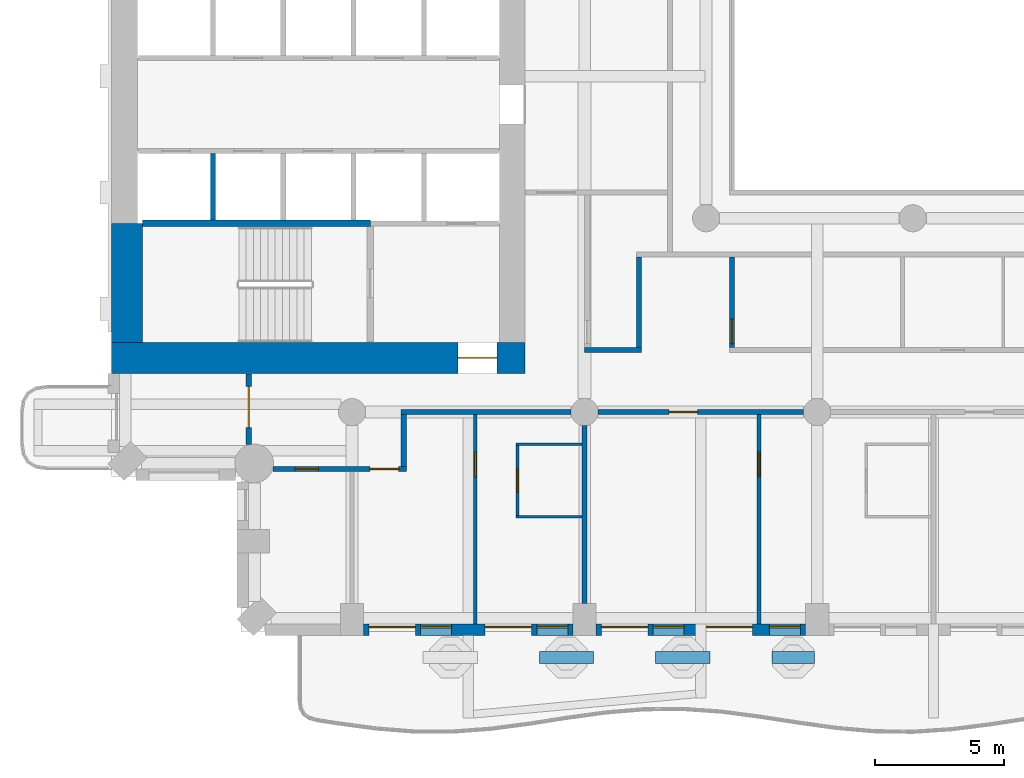
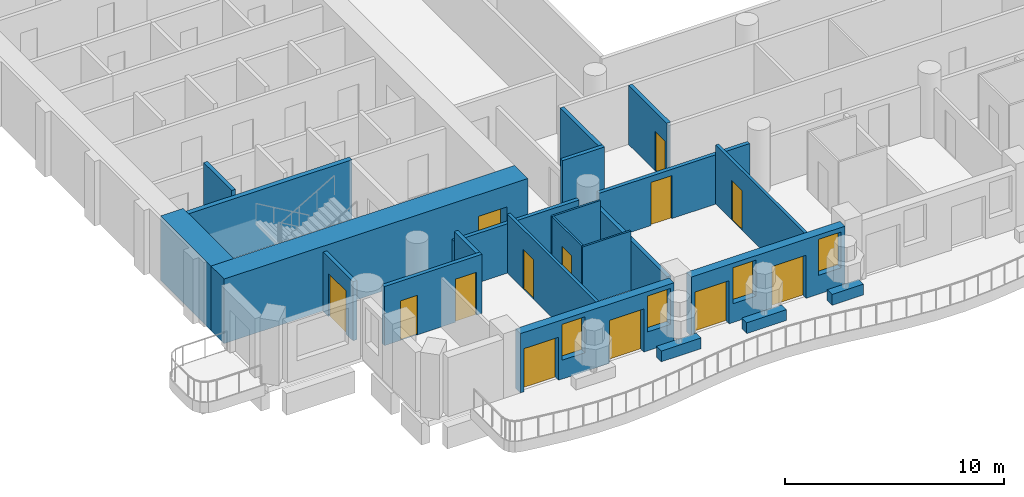
# One storey, part 3 of 20: 23 walls, 13 doors, 4 windows, 17 openings.
"""IFC4 building model written with IfcOpenShell, lengths in metres."""

from ifc_helpers import new_model, si_unit, direction, frame, frame_2d, origin, place, context, subcontext, project, spatial, rectangle, extrude, material, layer, layer_set, type_object, element, fill, save


model = new_model("IFC4")

# Units and contexts
model_context = context("Model", 3, precision=1e-05, world=origin(), true_north=direction((0.0, 1.0)))
body_context = subcontext(model_context, "Body", "Model", "MODEL_VIEW")
ifc_project = project(units=[si_unit("LENGTHUNIT", "METRE"), si_unit("AREAUNIT", "SQUARE_METRE"), si_unit("VOLUMEUNIT", "CUBIC_METRE"), si_unit("PLANEANGLEUNIT", "RADIAN"), si_unit("MASSUNIT", "GRAM", prefix="KILO")], contexts=[model_context])

# Site, building, storey
site_placement = place(None, origin())
site = spatial("IfcSite", under=ifc_project, at=site_placement, CompositionType="ELEMENT")
building_placement = place(site_placement, origin())
building = spatial("IfcBuilding", under=site, at=building_placement, Name="Cypress Arch Tower", CompositionType="ELEMENT")
storey_placement = place(building_placement, frame((0.0, 0.0, 134.699951171875)))
storey = spatial("IfcBuildingStorey", under=building, at=storey_placement, Name="L29", CompositionType="ELEMENT", Elevation=134.699951171875)

# Walls
ifc_material_1 = material(Name="Concrete C40/50, waterproofed", Category="concrete")
ifc_layer_1 = layer(ifc_material_1, 0.449951171875)
ifc_layer_set_1 = layer_set([ifc_layer_1], Name="Balcony planter wall PW450")
wall_type_1 = type_object("IfcWallType", Name="Balcony planter wall PW450", PredefinedType="SOLIDWALL", material=ifc_layer_set_1)
for number, where, z_axis, x_axis, name in (
    (1, (-13.449951171875, -27.0, 0.0), (0.0, 0.0, 1.0), (1.0, 0.0, 0.0), "Balcony planter wall L29-A03.2"),
    (2, (-8.949951171875, -27.0, 0.0), (0.0, 0.0, 1.0), (1.0, 0.0, 0.0), "Balcony planter wall L29-A03.3"),
):
    element("IfcWall", number, at=place(storey_placement, frame(where, z_axis=z_axis, x_axis=x_axis)), inside=storey, type_object=wall_type_1, Name=name, PredefinedType="SOLIDWALL", context=body_context, shape_type="SweptSolid", body=[
        extrude(rectangle(XDim=2.099853515625, YDim=0.449951171875, at=frame_2d((1.0498046875, 0.0))), origin(), (0.0, 0.0, 1.0), 0.60009765625),
    ])
wall_1_placement = place(storey_placement, frame((-4.449951171875, -27.0, 0.0), z_axis=(0.0, 0.0, 1.0), x_axis=(1.0, 0.0, 0.0)))
element("IfcWall", 3, at=wall_1_placement, inside=storey, type_object=wall_type_1, Name="Balcony planter wall L29-A03.4", PredefinedType="SOLIDWALL", context=body_context, shape_type="SweptSolid", body=[
    extrude(rectangle(XDim=1.64990234375, YDim=0.449951171875, at=frame_2d((0.824951171875, 0.0))), origin(), (0.0, 0.0, 1.0), 0.60009765625),
])

# Wall, openings, doors, windows
ifc_material_2 = material(Name="Brick (red buff blend)", Category="masonry")
ifc_layer_2 = layer(ifc_material_2, 0.449951171875)
ifc_layer_set_2 = layer_set([ifc_layer_2], Name="Brick pier and spandrel wall BW450")
wall_type_2 = type_object("IfcWallType", Name="Brick pier and spandrel wall BW450", PredefinedType="SOLIDWALL", material=ifc_layer_set_2)
wall_2_placement = place(storey_placement, frame((-20.25, -25.925048828125, 0.0), z_axis=(0.0, 0.0, 1.0), x_axis=(1.0, 0.0, 0.0)))
wall_2 = element("IfcWall", 4, at=wall_2_placement, inside=storey, type_object=wall_type_2, Name="Brick wall L29 A03.1", PredefinedType="SOLIDWALL", context=body_context, shape_type="SweptSolid", body=[
    extrude(rectangle(XDim=8.10009765625, YDim=0.449951171875, at=frame_2d((4.050048828125, 0.0))), origin(), (0.0, 0.0, 1.0), 3.300048828125),
])
opening_1_placement = place(wall_2_placement, frame((0.199951171875, 0.0, 0.0)))
opening_1 = element("IfcOpeningElement", 5, at=opening_1_placement, cuts=wall_2, Name="Opening D-L29-A03.1.1", PredefinedType="OPENING", context=body_context, shape_type="SweptSolid", body=[
    extrude(rectangle(XDim=1.800048828125, YDim=2.39990234375, at=frame_2d((0.89990234375, 1.199951171875))), frame((0.0, 0.23486328125, 0.0), z_axis=(0.0, -1.0, 0.0), x_axis=(1.0, 0.0, 0.0)), (0.0, 0.0, 1.0), 0.469970703125),
])
opening_2_placement = place(wall_2_placement, frame((2.199951171875, 0.0, 1.050048828125)))
opening_2 = element("IfcOpeningElement", 6, at=opening_2_placement, cuts=wall_2, Name="Opening W120HD", PredefinedType="OPENING", context=body_context, shape_type="SweptSolid", body=[
    extrude(rectangle(XDim=1.199951171875, YDim=2.0, at=frame_2d((0.60009765625, 1.0))), frame((0.0, 0.23486328125, 0.0), z_axis=(0.0, -1.0, 0.0), x_axis=(1.0, 0.0, 0.0)), (0.0, 0.0, 1.0), 0.469970703125),
])
opening_3_placement = place(wall_2_placement, frame((4.699951171875, 0.0, 0.0)))
opening_3 = element("IfcOpeningElement", 7, at=opening_3_placement, cuts=wall_2, Name="Opening D-L29-A03.1.2", PredefinedType="OPENING", context=body_context, shape_type="SweptSolid", body=[
    extrude(rectangle(XDim=1.800048828125, YDim=2.39990234375, at=frame_2d((0.89990234375, 1.199951171875))), frame((0.0, 0.23486328125, 0.0), z_axis=(0.0, -1.0, 0.0), x_axis=(1.0, 0.0, 0.0)), (0.0, 0.0, 1.0), 0.469970703125),
])
opening_4_placement = place(wall_2_placement, frame((6.699951171875, 0.0, 1.050048828125)))
opening_4 = element("IfcOpeningElement", 8, at=opening_4_placement, cuts=wall_2, Name="Opening W120HD", PredefinedType="OPENING", context=body_context, shape_type="SweptSolid", body=[
    extrude(rectangle(XDim=1.199951171875, YDim=2.0, at=frame_2d((0.60009765625, 1.0))), frame((0.0, 0.23486328125, 0.0), z_axis=(0.0, -1.0, 0.0), x_axis=(1.0, 0.0, 0.0)), (0.0, 0.0, 1.0), 0.469970703125),
])
ifc_material_3 = material(Name="Anodised aluminium, bronze finish, laminated low-emissivity double glazing, large-missile impact rated", Category="aluminium")
door_type_1 = type_object("IfcDoorType", Name="Balcony sliding door 1800x2400", OperationType="SLIDING_TO_LEFT", PredefinedType="DOOR", material=ifc_material_3)
door_1_placement = place(opening_1_placement, origin())
door_1 = element("IfcDoor", 9, at=door_1_placement, inside=storey, type_object=door_type_1, Name="Balcony door L29 A03.1.1", OperationType="SLIDING_TO_LEFT", OverallHeight=2.39990234375, OverallWidth=1.800048828125, PredefinedType="DOOR", context=body_context, shape_type="SweptSolid", body=[
    extrude(rectangle(XDim=1.800048828125, YDim=2.39990234375, at=frame_2d((0.89990234375, 1.199951171875))), frame((0.0, 0.1298828125, 0.0), z_axis=(0.0, -1.0, 0.0), x_axis=(1.0, 0.0, 0.0)), (0.0, 0.0, 1.0), 0.050048828125),
])
fill(opening_1, door_1)
door_2_placement = place(opening_3_placement, origin())
door_2 = element("IfcDoor", 10, at=door_2_placement, inside=storey, type_object=door_type_1, Name="Balcony door L29 A03.1.2", OperationType="SLIDING_TO_LEFT", OverallHeight=2.39990234375, OverallWidth=1.800048828125, PredefinedType="DOOR", context=body_context, shape_type="SweptSolid", body=[
    extrude(rectangle(XDim=1.800048828125, YDim=2.39990234375, at=frame_2d((0.89990234375, 1.199951171875))), frame((0.0, 0.1298828125, 0.0), z_axis=(0.0, -1.0, 0.0), x_axis=(1.0, 0.0, 0.0)), (0.0, 0.0, 1.0), 0.050048828125),
])
fill(opening_3, door_2)
ifc_material_4 = material(Name="Anodised aluminium, bronze finish, laminated low-emissivity double glazing, large-missile impact rated", Category="aluminium")
window_type = type_object("IfcWindowType", Name="Window Hotel 1200x2000 debris-rated", PartitioningType="SINGLE_PANEL", PredefinedType="WINDOW", material=ifc_material_4)
window_1_placement = place(opening_2_placement, origin())
window_1 = element("IfcWindow", 11, at=window_1_placement, inside=storey, type_object=window_type, Name="Window L29 A03.1.1", OverallHeight=2.0, OverallWidth=1.199951171875, PartitioningType="SINGLE_PANEL", PredefinedType="WINDOW", context=body_context, shape_type="SweptSolid", body=[
    extrude(rectangle(XDim=1.199951171875, YDim=2.0, at=frame_2d((0.60009765625, 1.0))), frame((0.0, 0.135009765625, 0.0), z_axis=(0.0, -1.0, 0.0), x_axis=(1.0, 0.0, 0.0)), (0.0, 0.0, 1.0), 0.06005859375),
])
fill(opening_2, window_1)
window_2_placement = place(opening_4_placement, origin())
window_2 = element("IfcWindow", 12, at=window_2_placement, inside=storey, type_object=window_type, Name="Window L29 A03.1.2", OverallHeight=2.0, OverallWidth=1.199951171875, PartitioningType="SINGLE_PANEL", PredefinedType="WINDOW", context=body_context, shape_type="SweptSolid", body=[
    extrude(rectangle(XDim=1.199951171875, YDim=2.0, at=frame_2d((0.60009765625, 1.0))), frame((0.0, 0.135009765625, 0.0), z_axis=(0.0, -1.0, 0.0), x_axis=(1.0, 0.0, 0.0)), (0.0, 0.0, 1.0), 0.06005859375),
])
fill(opening_4, window_2)

wall_3_placement = place(storey_placement, frame((-11.25, -25.925048828125, 0.0), z_axis=(0.0, 0.0, 1.0), x_axis=(1.0, 0.0, 0.0)))
wall_3 = element("IfcWall", 13, at=wall_3_placement, inside=storey, type_object=wall_type_2, Name="Brick wall L29 A03.2", PredefinedType="SOLIDWALL", context=body_context, shape_type="SweptSolid", body=[
    extrude(rectangle(XDim=8.10009765625, YDim=0.449951171875, at=frame_2d((4.050048828125, 0.0))), origin(), (0.0, 0.0, 1.0), 3.300048828125),
])
opening_5_placement = place(wall_3_placement, frame((0.199951171875, 0.0, 0.0)))
opening_5 = element("IfcOpeningElement", 14, at=opening_5_placement, cuts=wall_3, Name="Opening D-L29-A03.2.1", PredefinedType="OPENING", context=body_context, shape_type="SweptSolid", body=[
    extrude(rectangle(XDim=1.800048828125, YDim=2.39990234375, at=frame_2d((0.89990234375, 1.199951171875))), frame((0.0, 0.23486328125, 0.0), z_axis=(0.0, -1.0, 0.0), x_axis=(1.0, 0.0, 0.0)), (0.0, 0.0, 1.0), 0.469970703125),
])
opening_6_placement = place(wall_3_placement, frame((2.199951171875, 0.0, 1.050048828125)))
opening_6 = element("IfcOpeningElement", 15, at=opening_6_placement, cuts=wall_3, Name="Opening W120HD", PredefinedType="OPENING", context=body_context, shape_type="SweptSolid", body=[
    extrude(rectangle(XDim=1.199951171875, YDim=2.0, at=frame_2d((0.60009765625, 1.0))), frame((0.0, 0.23486328125, 0.0), z_axis=(0.0, -1.0, 0.0), x_axis=(1.0, 0.0, 0.0)), (0.0, 0.0, 1.0), 0.469970703125),
])
opening_7_placement = place(wall_3_placement, frame((4.25, 0.0, 0.0)))
opening_7 = element("IfcOpeningElement", 16, at=opening_7_placement, cuts=wall_3, Name="Opening D-L29-A03.2.2", PredefinedType="OPENING", context=body_context, shape_type="SweptSolid", body=[
    extrude(rectangle(XDim=1.800048828125, YDim=2.39990234375, at=frame_2d((0.89990234375, 1.199951171875))), frame((0.0, 0.23486328125, 0.0), z_axis=(0.0, -1.0, 0.0), x_axis=(1.0, 0.0, 0.0)), (0.0, 0.0, 1.0), 0.469970703125),
])
opening_8_placement = place(wall_3_placement, frame((6.699951171875, 0.0, 1.050048828125)))
opening_8 = element("IfcOpeningElement", 17, at=opening_8_placement, cuts=wall_3, Name="Opening W120HD", PredefinedType="OPENING", context=body_context, shape_type="SweptSolid", body=[
    extrude(rectangle(XDim=1.199951171875, YDim=2.0, at=frame_2d((0.60009765625, 1.0))), frame((0.0, 0.23486328125, 0.0), z_axis=(0.0, -1.0, 0.0), x_axis=(1.0, 0.0, 0.0)), (0.0, 0.0, 1.0), 0.469970703125),
])
door_3_placement = place(opening_5_placement, origin())
door_3 = element("IfcDoor", 18, at=door_3_placement, inside=storey, type_object=door_type_1, Name="Balcony door L29 A03.2.1", OperationType="SLIDING_TO_LEFT", OverallHeight=2.39990234375, OverallWidth=1.800048828125, PredefinedType="DOOR", context=body_context, shape_type="SweptSolid", body=[
    extrude(rectangle(XDim=1.800048828125, YDim=2.39990234375, at=frame_2d((0.89990234375, 1.199951171875))), frame((0.0, 0.1298828125, 0.0), z_axis=(0.0, -1.0, 0.0), x_axis=(1.0, 0.0, 0.0)), (0.0, 0.0, 1.0), 0.050048828125),
])
fill(opening_5, door_3)
door_4_placement = place(opening_7_placement, origin())
door_4 = element("IfcDoor", 19, at=door_4_placement, inside=storey, type_object=door_type_1, Name="Balcony door L29 A03.2.2", OperationType="SLIDING_TO_LEFT", OverallHeight=2.39990234375, OverallWidth=1.800048828125, PredefinedType="DOOR", context=body_context, shape_type="SweptSolid", body=[
    extrude(rectangle(XDim=1.800048828125, YDim=2.39990234375, at=frame_2d((0.89990234375, 1.199951171875))), frame((0.0, 0.1298828125, 0.0), z_axis=(0.0, -1.0, 0.0), x_axis=(1.0, 0.0, 0.0)), (0.0, 0.0, 1.0), 0.050048828125),
])
fill(opening_7, door_4)
window_3_placement = place(opening_6_placement, origin())
window_3 = element("IfcWindow", 20, at=window_3_placement, inside=storey, type_object=window_type, Name="Window L29 A03.2.1", OverallHeight=2.0, OverallWidth=1.199951171875, PartitioningType="SINGLE_PANEL", PredefinedType="WINDOW", context=body_context, shape_type="SweptSolid", body=[
    extrude(rectangle(XDim=1.199951171875, YDim=2.0, at=frame_2d((0.60009765625, 1.0))), frame((0.0, 0.135009765625, 0.0), z_axis=(0.0, -1.0, 0.0), x_axis=(1.0, 0.0, 0.0)), (0.0, 0.0, 1.0), 0.06005859375),
])
fill(opening_6, window_3)
window_4_placement = place(opening_8_placement, origin())
window_4 = element("IfcWindow", 21, at=window_4_placement, inside=storey, type_object=window_type, Name="Window L29 A03.2.2", OverallHeight=2.0, OverallWidth=1.199951171875, PartitioningType="SINGLE_PANEL", PredefinedType="WINDOW", context=body_context, shape_type="SweptSolid", body=[
    extrude(rectangle(XDim=1.199951171875, YDim=2.0, at=frame_2d((0.60009765625, 1.0))), frame((0.0, 0.135009765625, 0.0), z_axis=(0.0, -1.0, 0.0), x_axis=(1.0, 0.0, 0.0)), (0.0, 0.0, 1.0), 0.06005859375),
])
fill(opening_8, window_4)

# Wall, opening, door
ifc_material_5 = material(Name="Concrete C80/95", Category="concrete")
ifc_layer_3 = layer(ifc_material_5, 1.199951171875)
ifc_layer_set_3 = layer_set([ifc_layer_3], Name="Core wall CW1200 C80/95")
wall_type_3 = type_object("IfcWallType", Name="Core wall CW1200 C80/95", PredefinedType="SHEAR", material=ifc_layer_set_3)
wall_4_placement = place(storey_placement, frame((-30.0, -15.39990234375, 0.0), z_axis=(0.0, 0.0, 1.0), x_axis=(1.0, 0.0, 0.0)))
wall_4 = element("IfcWall", 22, at=wall_4_placement, inside=storey, type_object=wall_type_3, Name="Core wall", PredefinedType="SHEAR", context=body_context, shape_type="SweptSolid", body=[
    extrude(rectangle(XDim=16.0, YDim=1.199951171875, at=frame_2d((8.0, 0.0))), origin(), (0.0, 0.0, 1.0), 3.60009765625),
])
opening_9_placement = place(wall_4_placement, frame((13.39990234375, 0.0, 0.0)))
opening_9 = element("IfcOpeningElement", 23, at=opening_9_placement, cuts=wall_4, Name="Opening D07", PredefinedType="OPENING", context=body_context, shape_type="SweptSolid", body=[
    extrude(rectangle(XDim=1.5, YDim=2.39990234375, at=frame_2d((0.75, 1.199951171875))), frame((0.0, 0.60986328125, 0.0), z_axis=(0.0, -1.0, 0.0), x_axis=(1.0, 0.0, 0.0)), (0.0, 0.0, 1.0), 1.219970703125),
])
ifc_material_6 = material(Name="Steel framed glazed door, fire resisting", Category="steel")
door_type_2 = type_object("IfcDoorType", Name="Lobby door D07 1500x2400", OperationType="DOUBLE_DOOR_SINGLE_SWING", PredefinedType="DOOR", material=ifc_material_6)
door_5_placement = place(opening_9_placement, origin())
door_5 = element("IfcDoor", 24, at=door_5_placement, inside=storey, type_object=door_type_2, Name="Lobby door", OperationType="DOUBLE_DOOR_SINGLE_SWING", OverallHeight=2.39990234375, OverallWidth=1.5, PredefinedType="DOOR", context=body_context, shape_type="SweptSolid", body=[
    extrude(rectangle(XDim=1.5, YDim=2.39990234375, at=frame_2d((0.75, 1.199951171875))), frame((0.0, 0.02490234375, 0.0), z_axis=(0.0, -1.0, 0.0), x_axis=(1.0, 0.0, 0.0)), (0.0, 0.0, 1.0), 0.050048828125),
])
fill(opening_9, door_5)

# Wall
wall_5_placement = place(storey_placement, frame((-29.39990234375, -14.800048828125, 0.0), z_axis=(0.0, 0.0, 1.0), x_axis=(0.0, 1.0, 0.0)))
element("IfcWall", 25, at=wall_5_placement, inside=storey, type_object=wall_type_3, Name="Core wall", PredefinedType="SHEAR", context=body_context, shape_type="SweptSolid", body=[
    extrude(rectangle(XDim=4.60009765625, YDim=1.199951171875, at=frame_2d((2.300048828125, 0.0))), origin(), (0.0, 0.0, 1.0), 3.60009765625),
])

# Wall, opening, door
ifc_material_7 = material(Name="Concrete blockwork, plastered, rated", Category="masonry")
ifc_layer_4 = layer(ifc_material_7, 0.199951171875)
ifc_layer_set_4 = layer_set([ifc_layer_4], Name="Corridor wall FW200")
wall_type_4 = type_object("IfcWallType", Name="Corridor wall FW200", PredefinedType="PARTITIONING", material=ifc_layer_set_4)
wall_6_placement = place(storey_placement, frame((-24.699951171875, -18.752197265625, 0.0), z_axis=(0.0, 0.0, 1.0), x_axis=(0.0, 1.0, 0.0)))
wall_6 = element("IfcWall", 26, at=wall_6_placement, inside=storey, type_object=wall_type_4, Name="Corridor wall", PredefinedType="PARTITIONING", context=body_context, shape_type="SweptSolid", body=[
    extrude(rectangle(XDim=2.72216796875, YDim=0.199951171875, at=frame_2d((1.361083984375, 0.0))), origin(), (0.0, 0.0, 1.0), 3.300048828125),
])
opening_10_placement = place(wall_6_placement, frame((0.64990234375, 0.0, 0.0)))
opening_10 = element("IfcOpeningElement", 27, at=opening_10_placement, cuts=wall_6, Name="Opening D10", PredefinedType="OPENING", context=body_context, shape_type="SweptSolid", body=[
    extrude(rectangle(XDim=1.60009765625, YDim=2.39990234375, at=frame_2d((0.800048828125, 1.199951171875))), frame((0.0, 0.10986328125, 0.0), z_axis=(0.0, -1.0, 0.0), x_axis=(1.0, 0.0, 0.0)), (0.0, 0.0, 1.0), 0.219970703125),
])
ifc_material_8 = material(Name="Black aluminium glazed door", Category="aluminium")
door_type_3 = type_object("IfcDoorType", Name="Amenity door D10 1600x2400", OperationType="DOUBLE_DOOR_SINGLE_SWING", PredefinedType="DOOR", material=ifc_material_8)
door_6_placement = place(opening_10_placement, origin())
door_6 = element("IfcDoor", 28, at=door_6_placement, inside=storey, type_object=door_type_3, Name="Amenity door", OperationType="DOUBLE_DOOR_SINGLE_SWING", OverallHeight=2.39990234375, OverallWidth=1.60009765625, PredefinedType="DOOR", context=body_context, shape_type="SweptSolid", body=[
    extrude(rectangle(XDim=1.60009765625, YDim=2.39990234375, at=frame_2d((0.800048828125, 1.199951171875))), frame((0.0, 0.02490234375, 0.0), z_axis=(0.0, -1.0, 0.0), x_axis=(1.0, 0.0, 0.0)), (0.0, 0.0, 1.0), 0.050048828125),
])
fill(opening_10, door_6)

# Wall, openings, doors
wall_7_placement = place(storey_placement, frame((-23.752197265625, -19.699951171875, 0.0), z_axis=(0.0, 0.0, 1.0), x_axis=(1.0, 0.0, 0.0)))
wall_7 = element("IfcWall", 29, at=wall_7_placement, inside=storey, type_object=wall_type_4, Name="Corridor wall", PredefinedType="PARTITIONING", context=body_context, shape_type="SweptSolid", body=[
    extrude(rectangle(XDim=5.152099609375, YDim=0.199951171875, at=frame_2d((2.576171875, 0.0))), origin(), (0.0, 0.0, 1.0), 3.300048828125),
])
opening_11_placement = place(wall_7_placement, frame((0.85009765625, 0.0, 0.0)))
opening_11 = element("IfcOpeningElement", 30, at=opening_11_placement, cuts=wall_7, Name="Opening D05", PredefinedType="OPENING", context=body_context, shape_type="SweptSolid", body=[
    extrude(rectangle(XDim=0.89990234375, YDim=2.199951171875, at=frame_2d((0.449951171875, 1.10009765625))), frame((0.0, 0.10986328125, 0.0), z_axis=(0.0, -1.0, 0.0), x_axis=(1.0, 0.0, 0.0)), (0.0, 0.0, 1.0), 0.219970703125),
])
opening_12_placement = place(wall_7_placement, frame((3.75, 0.0, 0.0)))
opening_12 = element("IfcOpeningElement", 31, at=opening_12_placement, cuts=wall_7, Name="Opening D01", PredefinedType="OPENING", context=body_context, shape_type="SweptSolid", body=[
    extrude(rectangle(XDim=1.10009765625, YDim=2.39990234375, at=frame_2d((0.550048828125, 1.199951171875))), frame((0.0, 0.10986328125, 0.0), z_axis=(0.0, -1.0, 0.0), x_axis=(1.0, 0.0, 0.0)), (0.0, 0.0, 1.0), 0.219970703125),
])
ifc_material_9 = material(Name="Timber flush door", Category="wood")
door_type_4 = type_object("IfcDoorType", Name="Service door D05 900x2200", OperationType="SINGLE_SWING_LEFT", PredefinedType="DOOR", material=ifc_material_9)
door_7_placement = place(opening_11_placement, origin())
door_7 = element("IfcDoor", 32, at=door_7_placement, inside=storey, type_object=door_type_4, Name="Service door", OperationType="SINGLE_SWING_RIGHT", OverallHeight=2.199951171875, OverallWidth=0.89990234375, PredefinedType="DOOR", context=body_context, shape_type="SweptSolid", body=[
    extrude(rectangle(XDim=0.89990234375, YDim=2.199951171875, at=frame_2d((0.449951171875, 1.10009765625))), frame((0.0, 0.02490234375, 0.0), z_axis=(0.0, -1.0, 0.0), x_axis=(1.0, 0.0, 0.0)), (0.0, 0.0, 1.0), 0.050048828125),
])
fill(opening_11, door_7)
ifc_material_10 = material(Name="Timber flush door, fire resisting, self-closing", Category="wood")
door_type_5 = type_object("IfcDoorType", Name="Unit entrance door D01 1100x2400", OperationType="SINGLE_SWING_LEFT", PredefinedType="DOOR", material=ifc_material_10)
door_8_placement = place(opening_12_placement, origin())
door_8 = element("IfcDoor", 33, at=door_8_placement, inside=storey, type_object=door_type_5, Name="Unit entrance door", OperationType="SINGLE_SWING_RIGHT", OverallHeight=2.39990234375, OverallWidth=1.10009765625, PredefinedType="DOOR", context=body_context, shape_type="SweptSolid", body=[
    extrude(rectangle(XDim=1.10009765625, YDim=2.39990234375, at=frame_2d((0.550048828125, 1.199951171875))), frame((0.0, 0.02490234375, 0.0), z_axis=(0.0, -1.0, 0.0), x_axis=(1.0, 0.0, 0.0)), (0.0, 0.0, 1.0), 0.050048828125),
])
fill(opening_12, door_8)

# Walls
wall_8_placement = place(storey_placement, frame((-18.699951171875, -19.60009765625, 0.0), z_axis=(0.0, 0.0, 1.0), x_axis=(0.0, 1.0, 0.0)))
element("IfcWall", 34, at=wall_8_placement, inside=storey, type_object=wall_type_4, Name="Corridor wall", PredefinedType="PARTITIONING", context=body_context, shape_type="SweptSolid", body=[
    extrude(rectangle(XDim=2.0, YDim=0.199951171875, at=frame_2d((1.0, 0.0))), origin(), (0.0, 0.0, 1.0), 3.300048828125),
])
wall_9_placement = place(storey_placement, frame((-18.800048828125, -17.5, 0.0), z_axis=(0.0, 0.0, 1.0), x_axis=(1.0, 0.0, 0.0)))
element("IfcWall", 35, at=wall_9_placement, inside=storey, type_object=wall_type_4, Name="Corridor wall", PredefinedType="PARTITIONING", context=body_context, shape_type="SweptSolid", body=[
    extrude(rectangle(XDim=6.574951171875, YDim=0.199951171875, at=frame_2d((3.28759765625, 0.0))), origin(), (0.0, 0.0, 1.0), 2.75),
])

# Wall, opening, door
wall_10_placement = place(storey_placement, frame((-11.175048828125, -17.5, 0.0), z_axis=(0.0, 0.0, 1.0), x_axis=(1.0, 0.0, 0.0)))
wall_10 = element("IfcWall", 36, at=wall_10_placement, inside=storey, type_object=wall_type_4, Name="Corridor wall", PredefinedType="PARTITIONING", context=body_context, shape_type="SweptSolid", body=[
    extrude(rectangle(XDim=7.949951171875, YDim=0.199951171875, at=frame_2d((3.97509765625, 0.0))), origin(), (0.0, 0.0, 1.0), 2.75),
])
opening_13_placement = place(wall_10_placement, frame((2.75, 0.0, 0.0)))
opening_13 = element("IfcOpeningElement", 37, at=opening_13_placement, cuts=wall_10, Name="Opening D01", PredefinedType="OPENING", context=body_context, shape_type="SweptSolid", body=[
    extrude(rectangle(XDim=1.10009765625, YDim=2.39990234375, at=frame_2d((0.550048828125, 1.199951171875))), frame((0.0, 0.10986328125, 0.0), z_axis=(0.0, -1.0, 0.0), x_axis=(1.0, 0.0, 0.0)), (0.0, 0.0, 1.0), 0.219970703125),
])
door_9_placement = place(opening_13_placement, origin())
door_9 = element("IfcDoor", 38, at=door_9_placement, inside=storey, type_object=door_type_5, Name="Unit entrance door", OperationType="SINGLE_SWING_LEFT", OverallHeight=2.39990234375, OverallWidth=1.10009765625, PredefinedType="DOOR", context=body_context, shape_type="SweptSolid", body=[
    extrude(rectangle(XDim=1.10009765625, YDim=2.39990234375, at=frame_2d((0.550048828125, 1.199951171875))), frame((0.0, 0.02490234375, 0.0), z_axis=(0.0, -1.0, 0.0), x_axis=(1.0, 0.0, 0.0)), (0.0, 0.0, 1.0), 0.050048828125),
])
fill(opening_13, door_9)

# Walls
wall_11_placement = place(storey_placement, frame((-11.699951171875, -15.10009765625, 0.0), z_axis=(0.0, 0.0, 1.0), x_axis=(1.0, 0.0, 0.0)))
element("IfcWall", 39, at=wall_11_placement, inside=storey, type_object=wall_type_4, Name="Corridor wall", PredefinedType="PARTITIONING", context=body_context, shape_type="SweptSolid", body=[
    extrude(rectangle(XDim=2.199951171875, YDim=0.199951171875, at=frame_2d((1.10009765625, 0.0))), origin(), (0.0, 0.0, 1.0), 3.300048828125),
])
wall_12_placement = place(storey_placement, frame((-9.60009765625, -15.0, 0.0), z_axis=(0.0, 0.0, 1.0), x_axis=(0.0, 1.0, 0.0)))
element("IfcWall", 40, at=wall_12_placement, inside=storey, type_object=wall_type_4, Name="Corridor wall", PredefinedType="PARTITIONING", context=body_context, shape_type="SweptSolid", body=[
    extrude(rectangle(XDim=3.5009765625, YDim=0.199951171875, at=frame_2d((1.75048828125, 0.0))), origin(), (0.0, 0.0, 1.0), 3.300048828125),
])

# Wall, opening, door
wall_13_placement = place(storey_placement, frame((-6.0, -15.0, 0.0), z_axis=(0.0, 0.0, 1.0), x_axis=(0.0, 1.0, 0.0)))
wall_13 = element("IfcWall", 41, at=wall_13_placement, inside=storey, type_object=wall_type_4, Name="Corridor wall", PredefinedType="PARTITIONING", context=body_context, shape_type="SweptSolid", body=[
    extrude(rectangle(XDim=3.5, YDim=0.199951171875, at=frame_2d((1.75, 0.0))), origin(), (0.0, 0.0, 1.0), 3.300048828125),
])
opening_14_placement = place(wall_13_placement, frame((0.14990234375, 0.0, 0.0)))
opening_14 = element("IfcOpeningElement", 42, at=opening_14_placement, cuts=wall_13, Name="Opening D02", PredefinedType="OPENING", context=body_context, shape_type="SweptSolid", body=[
    extrude(rectangle(XDim=0.949951171875, YDim=2.199951171875, at=frame_2d((0.47509765625, 1.10009765625))), frame((0.0, 0.10986328125, 0.0), z_axis=(0.0, -1.0, 0.0), x_axis=(1.0, 0.0, 0.0)), (0.0, 0.0, 1.0), 0.219970703125),
])
ifc_material_11 = material(Name="Timber flush door, fire resisting", Category="wood")
door_type_6 = type_object("IfcDoorType", Name="Room door D02 950x2200", OperationType="SINGLE_SWING_LEFT", PredefinedType="DOOR", material=ifc_material_11)
door_10_placement = place(opening_14_placement, origin())
door_10 = element("IfcDoor", 43, at=door_10_placement, inside=storey, type_object=door_type_6, Name="Room door", OperationType="SINGLE_SWING_RIGHT", OverallHeight=2.199951171875, OverallWidth=0.949951171875, PredefinedType="DOOR", context=body_context, shape_type="SweptSolid", body=[
    extrude(rectangle(XDim=0.949951171875, YDim=2.199951171875, at=frame_2d((0.47509765625, 1.10009765625))), frame((0.0, 0.02490234375, 0.0), z_axis=(0.0, -1.0, 0.0), x_axis=(1.0, 0.0, 0.0)), (0.0, 0.0, 1.0), 0.050048828125),
])
fill(opening_14, door_10)

ifc_material_12 = material(Name="Blockwork, plastered both sides", Category="masonry")
ifc_layer_5 = layer(ifc_material_12, 0.14990234375)
ifc_layer_set_5 = layer_set([ifc_layer_5], Name="Partition PW150")
wall_type_5 = type_object("IfcWallType", Name="Partition PW150", PredefinedType="PARTITIONING", material=ifc_layer_set_5)
wall_14_placement = place(storey_placement, frame((-15.930908203125, -25.699951171875, 0.0), z_axis=(0.0, 0.0, 1.0), x_axis=(0.0, 1.0, 0.0)))
wall_14 = element("IfcWall", 44, at=wall_14_placement, inside=storey, type_object=wall_type_5, Name="Partition", PredefinedType="PARTITIONING", context=body_context, shape_type="SweptSolid", body=[
    extrude(rectangle(XDim=8.099853515625, YDim=0.14990234375, at=frame_2d((4.0498046875, 0.0))), origin(), (0.0, 0.0, 1.0), 3.300048828125),
])
opening_15_placement = place(wall_14_placement, frame((5.699951171875, 0.0, 0.0)))
opening_15 = element("IfcOpeningElement", 45, at=opening_15_placement, cuts=wall_14, Name="Opening D12", PredefinedType="OPENING", context=body_context, shape_type="SweptSolid", body=[
    extrude(rectangle(XDim=0.949951171875, YDim=2.199951171875, at=frame_2d((0.47509765625, 1.10009765625))), frame((0.0, 0.0849609375, 0.0), z_axis=(0.0, -1.0, 0.0), x_axis=(1.0, 0.0, 0.0)), (0.0, 0.0, 1.0), 0.169921875),
])
ifc_material_13 = material(Name="Timber flush door", Category="wood")
door_type_7 = type_object("IfcDoorType", Name="Room door D12 950x2200", OperationType="SINGLE_SWING_LEFT", PredefinedType="DOOR", material=ifc_material_13)
door_11_placement = place(opening_15_placement, origin())
door_11 = element("IfcDoor", 46, at=door_11_placement, inside=storey, type_object=door_type_7, Name="Room door", OperationType="SINGLE_SWING_RIGHT", OverallHeight=2.199951171875, OverallWidth=0.949951171875, PredefinedType="DOOR", context=body_context, shape_type="SweptSolid", body=[
    extrude(rectangle(XDim=0.949951171875, YDim=2.199951171875, at=frame_2d((0.47509765625, 1.10009765625))), frame((0.0, 0.02490234375, 0.0), z_axis=(0.0, -1.0, 0.0), x_axis=(1.0, 0.0, 0.0)), (0.0, 0.0, 1.0), 0.050048828125),
])
fill(opening_15, door_11)

wall_15_placement = place(storey_placement, frame((-4.949951171875, -25.699951171875, 0.0), z_axis=(0.0, 0.0, 1.0), x_axis=(0.0, 1.0, 0.0)))
wall_15 = element("IfcWall", 47, at=wall_15_placement, inside=storey, type_object=wall_type_5, Name="Partition", PredefinedType="PARTITIONING", context=body_context, shape_type="SweptSolid", body=[
    extrude(rectangle(XDim=8.099853515625, YDim=0.14990234375, at=frame_2d((4.0498046875, 0.0))), origin(), (0.0, 0.0, 1.0), 3.300048828125),
])
opening_16_placement = place(wall_15_placement, frame((5.699951171875, 0.0, 0.0)))
opening_16 = element("IfcOpeningElement", 48, at=opening_16_placement, cuts=wall_15, Name="Opening D12", PredefinedType="OPENING", context=body_context, shape_type="SweptSolid", body=[
    extrude(rectangle(XDim=0.949951171875, YDim=2.199951171875, at=frame_2d((0.47509765625, 1.10009765625))), frame((0.0, 0.0849609375, 0.0), z_axis=(0.0, -1.0, 0.0), x_axis=(1.0, 0.0, 0.0)), (0.0, 0.0, 1.0), 0.169921875),
])
door_12_placement = place(opening_16_placement, origin())
door_12 = element("IfcDoor", 49, at=door_12_placement, inside=storey, type_object=door_type_7, Name="Room door", OperationType="SINGLE_SWING_RIGHT", OverallHeight=2.199951171875, OverallWidth=0.949951171875, PredefinedType="DOOR", context=body_context, shape_type="SweptSolid", body=[
    extrude(rectangle(XDim=0.949951171875, YDim=2.199951171875, at=frame_2d((0.47509765625, 1.10009765625))), frame((0.0, 0.02490234375, 0.0), z_axis=(0.0, -1.0, 0.0), x_axis=(1.0, 0.0, 0.0)), (0.0, 0.0, 1.0), 0.050048828125),
])
fill(opening_16, door_12)

# Walls
ifc_material_14 = material(Name="Dense blockwork, plastered both sides, acoustic and rated", Category="masonry")
ifc_layer_6 = layer(ifc_material_14, 0.199951171875)
ifc_layer_set_6 = layer_set([ifc_layer_6], Name="Party wall PW200")
wall_type_6 = type_object("IfcWallType", Name="Party wall PW200", PredefinedType="PARTITIONING", material=ifc_layer_set_6)
wall_16_placement = place(storey_placement, frame((-11.699951171875, -24.89990234375, 0.0), z_axis=(0.0, 0.0, 1.0), x_axis=(0.0, 1.0, 0.0)))
element("IfcWall", 50, at=wall_16_placement, inside=storey, type_object=wall_type_6, Name="Party wall", PredefinedType="PARTITIONING", context=body_context, shape_type="SweptSolid", body=[
    extrude(rectangle(XDim=6.875, YDim=0.199951171875, at=frame_2d((3.4375, 0.0))), origin(), (0.0, 0.0, 1.0), 2.75),
])
ifc_material_15 = material(Name="Concrete C50/60", Category="concrete")
ifc_layer_7 = layer(ifc_material_15, 0.199951171875)
ifc_layer_set_7 = layer_set([ifc_layer_7], Name="Shaft wall SH200")
wall_type_7 = type_object("IfcWallType", Name="Shaft wall SH200", PredefinedType="SHEAR", material=ifc_layer_set_7)
wall_17_placement = place(storey_placement, frame((-26.080078125, -10.074951171875, 0.0), z_axis=(0.0, 0.0, 1.0), x_axis=(0.0, 1.0, 0.0)))
element("IfcWall", 51, at=wall_17_placement, inside=storey, type_object=wall_type_7, Name="Shaft wall", PredefinedType="SHEAR", context=body_context, shape_type="SweptSolid", body=[
    extrude(rectangle(XDim=2.574951171875, YDim=0.199951171875, at=frame_2d((1.28759765625, 0.0))), origin(), (0.0, 0.0, 1.0), 3.60009765625),
])
ifc_material_16 = material(Name="Concrete C50/60", Category="concrete")
ifc_layer_8 = layer(ifc_material_16, 0.25)
ifc_layer_set_8 = layer_set([ifc_layer_8], Name="Stair enclosure wall SW250")
wall_type_8 = type_object("IfcWallType", Name="Stair enclosure wall SW250", PredefinedType="SHEAR", material=ifc_layer_set_8)
wall_18_placement = place(storey_placement, frame((-28.81005859375, -10.199951171875, 0.0), z_axis=(0.0, 0.0, 1.0), x_axis=(1.0, 0.0, 0.0)))
element("IfcWall", 52, at=wall_18_placement, inside=storey, type_object=wall_type_8, Name="Stair enclosure wall", PredefinedType="SHEAR", context=body_context, shape_type="SweptSolid", body=[
    extrude(rectangle(XDim=8.830078125, YDim=0.25, at=frame_2d((4.4150390625, 0.0))), origin(), (0.0, 0.0, 1.0), 3.300048828125),
])

# Wall, opening, door
ifc_material_17 = material(Name="Moisture resistant board on steel studs, tiled", Category="steel")
ifc_layer_9 = layer(ifc_material_17, 0.10009765625)
ifc_layer_set_9 = layer_set([ifc_layer_9], Name="Wet wall PW100")
wall_type_9 = type_object("IfcWallType", Name="Wet wall PW100", PredefinedType="PARTITIONING", material=ifc_layer_set_9)
wall_19_placement = place(storey_placement, frame((-14.2958984375, -21.5, 0.0), z_axis=(0.0, 0.0, 1.0), x_axis=(0.0, 1.0, 0.0)))
wall_19 = element("IfcWall", 53, at=wall_19_placement, inside=storey, type_object=wall_type_9, Name="Wet wall", PredefinedType="PARTITIONING", context=body_context, shape_type="SweptSolid", body=[
    extrude(rectangle(XDim=2.699951171875, YDim=0.10009765625, at=frame_2d((1.35009765625, 0.0))), origin(), (0.0, 0.0, 1.0), 3.300048828125),
])
opening_17_placement = place(wall_19_placement, frame((0.89990234375, 0.0, 0.0)))
opening_17 = element("IfcOpeningElement", 54, at=opening_17_placement, cuts=wall_19, Name="Opening D03", PredefinedType="OPENING", context=body_context, shape_type="SweptSolid", body=[
    extrude(rectangle(XDim=0.89990234375, YDim=2.199951171875, at=frame_2d((0.449951171875, 1.10009765625))), frame((0.0, 0.06005859375, 0.0), z_axis=(0.0, -1.0, 0.0), x_axis=(1.0, 0.0, 0.0)), (0.0, 0.0, 1.0), 0.1201171875),
])
ifc_material_18 = material(Name="Timber flush door, moisture resistant", Category="wood")
door_type_8 = type_object("IfcDoorType", Name="Bathroom door D03 900x2200", OperationType="SINGLE_SWING_LEFT", PredefinedType="DOOR", material=ifc_material_18)
door_13_placement = place(opening_17_placement, origin())
door_13 = element("IfcDoor", 55, at=door_13_placement, inside=storey, type_object=door_type_8, Name="Bathroom door", OperationType="SINGLE_SWING_LEFT", OverallHeight=2.199951171875, OverallWidth=0.89990234375, PredefinedType="DOOR", context=body_context, shape_type="SweptSolid", body=[
    extrude(rectangle(XDim=0.89990234375, YDim=2.199951171875, at=frame_2d((0.449951171875, 1.10009765625))), frame((0.0, 0.02490234375, 0.0), z_axis=(0.0, -1.0, 0.0), x_axis=(1.0, 0.0, 0.0)), (0.0, 0.0, 1.0), 0.050048828125),
])
fill(opening_17, door_13)

# Walls
for number, where, z_axis, x_axis, name in (
    (56, (-14.345947265625, -21.550048828125, 0.0), (0.0, 0.0, 1.0), (1.0, 0.0, 0.0), "Wet wall"),
    (57, (-14.345947265625, -18.75, 0.0), (0.0, 0.0, 1.0), (1.0, 0.0, 0.0), "Wet wall"),
):
    element("IfcWall", number, at=place(storey_placement, frame(where, z_axis=z_axis, x_axis=x_axis)), inside=storey, type_object=wall_type_9, Name=name, PredefinedType="PARTITIONING", context=body_context, shape_type="SweptSolid", body=[
        extrude(rectangle(XDim=2.5458984375, YDim=0.10009765625, at=frame_2d((1.27294921875, 0.0))), origin(), (0.0, 0.0, 1.0), 3.300048828125),
    ])

save(model, "model.ifc")
